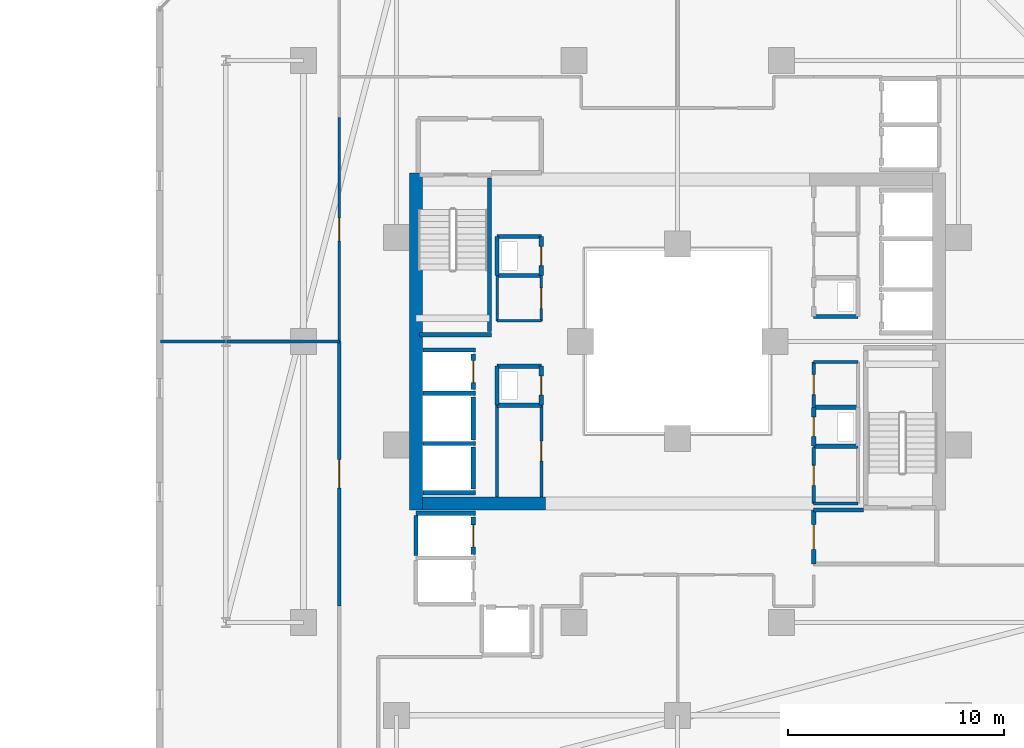
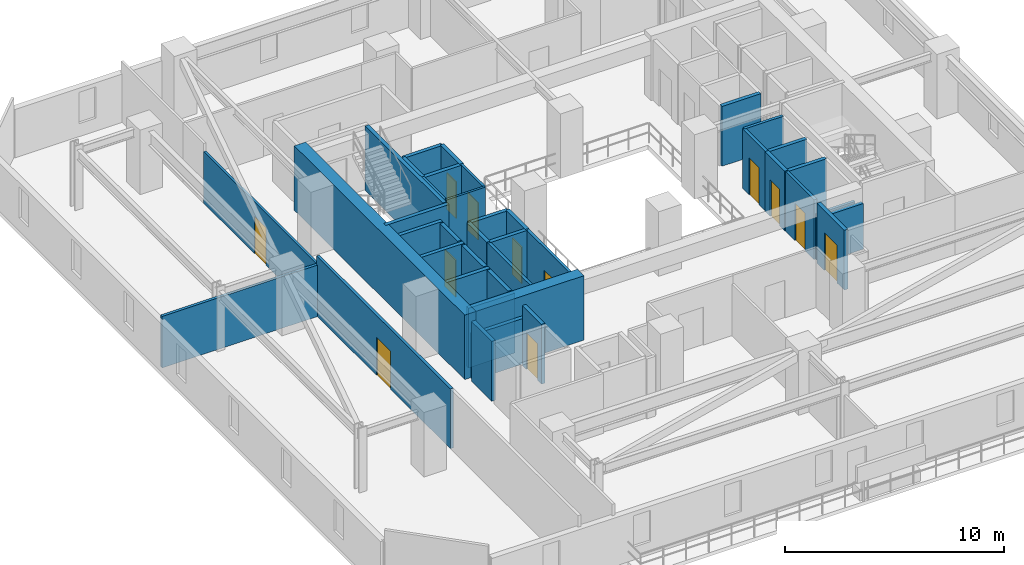
# One storey, part 24 of 33: 40 walls, 12 doors, 12 openings.
"""IFC4 building model written with IfcOpenShell, lengths in metres."""

import ifcopenshell
import ifcopenshell.guid

model = None  # the IFC model being written
_history = None  # IfcOwnerHistory: only IFC2X3 demands one
_inside = {}  # id of a spatial element -> (the spatial element, [elements in it])
_under = {}  # id of a project, library or spatial element -> (it, [spatial elements below it])
_declared = {}  # id of a project -> (the project, [libraries it declares])
_typed = {}  # id of a type object -> (the type object, [elements of that type])
_made_of = {}  # id of a material, layer set ... -> (it, [elements and type objects made of it])


def new_model(schema):
    """Start an empty IFC model of exactly this schema.

    Asked for "IFC4X3", IfcOpenShell would pick the latest addendum, in which some entities
    have other attributes; the version numbers below select the first issue.
    IFC2X3 requires an IfcOwnerHistory on every rooted entity: one is made here for all.
    """
    global model, _history
    if schema == "IFC4X3":
        model = ifcopenshell.file(schema_version=(4, 3, 0, 0))
    else:
        model = ifcopenshell.file(schema=schema)
    _inside.clear()
    _under.clear()
    _declared.clear()
    _typed.clear()
    _made_of.clear()
    _history = None
    if model.schema == "IFC2X3":
        org = make("IfcOrganization", Name="unknown")
        user = make(
            "IfcPersonAndOrganization",
            ThePerson=make("IfcPerson", FamilyName="unknown"),
            TheOrganization=org,
        )
        app = make(
            "IfcApplication",
            ApplicationDeveloper=org,
            Version="unknown",
            ApplicationFullName="unknown",
            ApplicationIdentifier="unknown",
        )
        _history = make(
            "IfcOwnerHistory",
            OwningUser=user,
            OwningApplication=app,
            ChangeAction="ADDED",
            CreationDate=0,
        )
    return model


def make(cls, **values):
    """One entity of the class cls with the attributes given. An attribute that is None is left unset."""
    return model.create_entity(
        cls, **{name: value for name, value in values.items() if value is not None}
    )


def rooted(cls, **values):
    """An entity with a GlobalId (a new one), such as an element, a storey or a relation."""
    return make(cls, GlobalId=ifcopenshell.guid.new(), OwnerHistory=_history, **values)


def si_unit(unit_type, name, prefix=None):
    """IfcSIUnit, for example si_unit("LENGTHUNIT", "METRE", prefix="MILLI")."""
    return make("IfcSIUnit", UnitType=unit_type, Prefix=prefix, Name=name)


def assignment(units):
    """IfcUnitAssignment: the units of a project."""
    return None if units is None else make("IfcUnitAssignment", Units=units)


def point(xyz):
    """IfcCartesianPoint."""
    return None if xyz is None else make("IfcCartesianPoint", Coordinates=xyz)


def direction(xyz):
    """IfcDirection."""
    return None if xyz is None else make("IfcDirection", DirectionRatios=xyz)


def frame(location, z_axis=None, x_axis=None):
    """IfcAxis2Placement3D, a coordinate frame: its origin and axes. An axis left out is left unset."""
    return make(
        "IfcAxis2Placement3D",
        Location=point(location),
        Axis=direction(z_axis),
        RefDirection=direction(x_axis),
    )


def frame_2d(location, x_axis=None):
    """IfcAxis2Placement2D, a coordinate frame in the plane: its origin and x axis."""
    return make(
        "IfcAxis2Placement2D", Location=point(location), RefDirection=direction(x_axis)
    )


def origin():
    """The frame at (0, 0, 0) with its axes left unset."""
    return frame((0.0, 0.0, 0.0))


def place(relative_to, where):
    """IfcLocalPlacement: puts the frame where relative to a parent placement (None: the world)."""
    return make(
        "IfcLocalPlacement", PlacementRelTo=relative_to, RelativePlacement=where
    )


def context(
    kind, dimensions, precision=None, world=None, true_north=None, identifier=None
):
    """IfcGeometricRepresentationContext, for example the 3D "Model" context."""
    return make(
        "IfcGeometricRepresentationContext",
        ContextIdentifier=identifier,
        ContextType=kind,
        CoordinateSpaceDimension=dimensions,
        Precision=precision,
        WorldCoordinateSystem=world,
        TrueNorth=true_north,
    )


def subcontext(parent, identifier, kind, view, scale=None):
    """IfcGeometricRepresentationSubContext, for example "Body" below "Model"."""
    return make(
        "IfcGeometricRepresentationSubContext",
        ContextIdentifier=identifier,
        ContextType=kind,
        ParentContext=parent,
        TargetScale=scale,
        TargetView=view,
    )


def project(units=None, contexts=None):
    """IfcProject with its units and contexts."""
    return rooted(
        "IfcProject",
        Name="project",
        RepresentationContexts=contexts,
        UnitsInContext=assignment(units),
    )


def spatial(cls, under=None, at=None, **own):
    """A site, building, storey or space (cls), placed at a placement, below another one or the project."""
    s = rooted(cls, ObjectPlacement=at, **own)
    if under is not None:
        _under.setdefault(under.id(), (under, []))[1].append(s)
    return s


def profile(cls, at=None, kind="AREA", **sizes):
    """A parametric profile (cls). Its sizes go by their IFC names, for example OverallWidth=200.0."""
    return make(cls, ProfileType=kind, Position=at, **sizes)


def rectangle(**sizes):
    """IfcRectangleProfileDef."""
    return profile("IfcRectangleProfileDef", **sizes)


def extrude(swept, where, along, depth):
    """IfcExtrudedAreaSolid: the profile swept, set in the frame where, extruded along a direction by depth."""
    return make(
        "IfcExtrudedAreaSolid",
        SweptArea=swept,
        Position=where,
        ExtrudedDirection=direction(along),
        Depth=depth,
    )


def shape(context_of_items, identifier, shape_type, items):
    """IfcShapeRepresentation: the items that make up one representation, for example the "Body"."""
    return make(
        "IfcShapeRepresentation",
        ContextOfItems=context_of_items,
        RepresentationIdentifier=identifier,
        RepresentationType=shape_type,
        Items=items,
    )


def material(Name=None, Category=None):
    """IfcMaterial."""
    return make("IfcMaterial", Name=Name, Category=Category)


def layer(
    of_material, thickness, ventilated=None, Name=None, Category=None, Priority=None
):
    """IfcMaterialLayer: one layer of a wall or slab, of a material (None: an air gap)."""
    return make(
        "IfcMaterialLayer",
        Material=of_material,
        LayerThickness=thickness,
        IsVentilated=ventilated,
        Name=Name,
        Category=Category,
        Priority=Priority,
    )


def layer_set(layers, Name=None):
    """IfcMaterialLayerSet."""
    return make("IfcMaterialLayerSet", MaterialLayers=layers, LayerSetName=Name)


def made_of(thing, what):
    """Note that an element or type object is made of a material, layer set ...; save() writes the relation."""
    if what is not None:
        _made_of.setdefault(what.id(), (what, []))[1].append(thing)
    return thing


def type_object(cls, material=None, **own):
    """A type object (cls), such as IfcWallType, which elements share."""
    return made_of(rooted(cls, **own), material)


def element(
    cls,
    number,
    at=None,
    inside=None,
    cuts=None,
    type_object=None,
    material=None,
    context=None,
    identifier="Body",
    shape_type=None,
    held_by="IfcProductDefinitionShape",
    body=None,
    shapes=None,
    **own,
):
    """One element of the class cls, such as IfcWall. Its Tag is "e" and its number.

    at: its placement. inside: the storey or other place that contains it. cuts: it is an
    opening in that element (IfcRelVoidsElement). A single representation is given by context,
    identifier, shape_type and body (its items); several are given by shapes. held_by: the class
    of the entity that holds the representations. save() writes the other relations.
    """
    e = rooted(cls, Tag="e%d" % number, ObjectPlacement=at, **own)
    if body is not None:
        shapes = [shape(context, identifier, shape_type, body)]
    if shapes is not None:
        e.Representation = make(held_by, Representations=shapes)
    if inside is not None:
        _inside.setdefault(inside.id(), (inside, []))[1].append(e)
    if cuts is not None:
        rooted(
            "IfcRelVoidsElement", RelatingBuildingElement=cuts, RelatedOpeningElement=e
        )
    if type_object is not None:
        _typed.setdefault(type_object.id(), (type_object, []))[1].append(e)
    return made_of(e, material)


def fill(opening, filler):
    """IfcRelFillsElement: the door or window that sits in an opening."""
    return rooted(
        "IfcRelFillsElement",
        RelatingOpeningElement=opening,
        RelatedBuildingElement=filler,
    )


def aggregate(whole, parts):
    """IfcRelAggregates: a whole, such as a stair, and the parts it consists of."""
    return rooted("IfcRelAggregates", RelatingObject=whole, RelatedObjects=parts)


def save(model, path):
    """Write the relations noted so far, then the file.

    IfcRelAggregates (storeys below a building ...), IfcRelContainedInSpatialStructure (elements
    in a storey), IfcRelDefinesByType, IfcRelAssociatesMaterial and IfcRelDeclares: one each for
    every whole, place, type object, material and project.
    """
    for whole, parts in _under.values():
        aggregate(whole, parts)
    for where, things in _inside.values():
        rooted(
            "IfcRelContainedInSpatialStructure",
            RelatedElements=things,
            RelatingStructure=where,
        )
    for kind, things in _typed.values():
        rooted("IfcRelDefinesByType", RelatedObjects=things, RelatingType=kind)
    for what, things in _made_of.values():
        rooted("IfcRelAssociatesMaterial", RelatedObjects=things, RelatingMaterial=what)
    for by, libraries in _declared.values():
        rooted("IfcRelDeclares", RelatingContext=by, RelatedDefinitions=libraries)
    model.write(path)


model = new_model("IFC4")

# Units and contexts
model_context = context("Model", 3, precision=1e-05, world=origin(), true_north=direction((0.0, 1.0)))
body_context = subcontext(model_context, "Body", "Model", "MODEL_VIEW")
ifc_project = project(units=[si_unit("LENGTHUNIT", "METRE"), si_unit("AREAUNIT", "SQUARE_METRE"), si_unit("VOLUMEUNIT", "CUBIC_METRE"), si_unit("PLANEANGLEUNIT", "RADIAN"), si_unit("MASSUNIT", "GRAM", prefix="KILO")], contexts=[model_context])

# Site, building, storey
site_placement = place(None, origin())
site = spatial("IfcSite", under=ifc_project, at=site_placement, CompositionType="ELEMENT")
building_placement = place(site_placement, origin())
building = spatial("IfcBuilding", under=site, at=building_placement, Name="Thornwick Lancets Civic Towers", CompositionType="ELEMENT")
storey_placement = place(building_placement, frame((0.0, 0.0, 105.300048828125)))
storey = spatial("IfcBuildingStorey", under=building, at=storey_placement, Name="L27", CompositionType="ELEMENT", Elevation=105.300048828125)

# Wall, opening, door
ifc_material_1 = material(Name="Concrete blockwork C40/50", Category="masonry")
ifc_layer_1 = layer(ifc_material_1, 0.199951171875, Name="Concrete blockwork C40/50")
ifc_layer_set_1 = layer_set([ifc_layer_1], Name="Concrete blockwork C40/50")
wall_type_1 = type_object("IfcWallType", Name="WALL_COMP_200", PredefinedType="STANDARD", material=ifc_layer_set_1)
wall_1_placement = place(storey_placement, frame((79.050048828125, 24.780029296875, 0.0), z_axis=(0.0, 0.0, 1.0), x_axis=(0.0, 1.0, 0.0)))
wall_1 = element("IfcWall", 1, at=wall_1_placement, inside=storey, type_object=wall_type_1, Name="L27 Hoistway Front Wall FL-B2", PredefinedType="STANDARD", context=body_context, shape_type="SweptSolid", body=[
    extrude(rectangle(XDim=1.639892578125, YDim=0.199951171875, at=frame_2d((0.81982421875, 0.0))), origin(), (0.0, 0.0, 1.0), 3.33984375),
])
opening_1_placement = place(wall_1_placement, frame((0.31005859375, 0.0, 0.0)))
opening_1 = element("IfcOpeningElement", 2, at=opening_1_placement, cuts=wall_1, Name="Opening LD-FL-B2", PredefinedType="OPENING", context=body_context, shape_type="SweptSolid", body=[
    extrude(rectangle(XDim=1.02001953125, YDim=2.06005859375, at=frame_2d((0.510009765625, 1.030029296875))), frame((0.0, 0.10986328125, 0.0), z_axis=(0.0, -1.0, 0.0), x_axis=(1.0, 0.0, 0.0)), (0.0, 0.0, 1.0), 0.219970703125),
])
ifc_material_2 = material(Name="Brushed bronze stainless steel", Category="steel")
door_type_1 = type_object("IfcDoorType", Name="DOOR_LIFT_SLIDE", OperationType="SLIDING_TO_LEFT", PredefinedType="DOOR", material=ifc_material_2)
door_1_placement = place(opening_1_placement, origin())
door_1 = element("IfcDoor", 3, at=door_1_placement, inside=storey, type_object=door_type_1, Name="L27 Sliding Lift Landing Door LD-FL-B2", OperationType="SLIDING_TO_LEFT", OverallHeight=2.06005859375, OverallWidth=1.02001953125, PredefinedType="DOOR", context=body_context, shape_type="SweptSolid", body=[
    extrude(rectangle(XDim=1.02001953125, YDim=2.06005859375, at=frame_2d((0.510009765625, 1.030029296875))), frame((0.0, 0.02490234375, 0.0), z_axis=(0.0, -1.0, 0.0), x_axis=(1.0, 0.0, 0.0)), (0.0, 0.0, 1.0), 0.050048828125),
])
fill(opening_1, door_1)

# Walls
wall_2_placement = place(storey_placement, frame((79.050048828125, 22.429931640625, 0.0), z_axis=(0.0, 0.0, 1.0), x_axis=(0.0, 1.0, 0.0)))
element("IfcWall", 4, at=wall_2_placement, inside=storey, type_object=wall_type_1, Name="L27 Hoistway Front Wall PL-BH2", PredefinedType="STANDARD", context=body_context, shape_type="SweptSolid", body=[
    extrude(rectangle(XDim=1.989990234375, YDim=0.199951171875, at=frame_2d((0.9951171875, 0.0))), origin(), (0.0, 0.0, 1.0), 3.33984375),
])
wall_3_placement = place(storey_placement, frame((79.050048828125, 20.179931640625, 0.0), z_axis=(0.0, 0.0, 1.0), x_axis=(0.0, 1.0, 0.0)))
element("IfcWall", 5, at=wall_3_placement, inside=storey, type_object=wall_type_1, Name="L27 Hoistway Front Wall PL-BH3", PredefinedType="STANDARD", context=body_context, shape_type="SweptSolid", body=[
    extrude(rectangle(XDim=1.940185546875, YDim=0.199951171875, at=frame_2d((0.97021484375, 0.0))), origin(), (0.0, 0.0, 1.0), 3.33984375),
])

# Wall, opening, door
wall_4_placement = place(storey_placement, frame((79.050048828125, 17.1298828125, 0.0), z_axis=(0.0, 0.0, 1.0), x_axis=(0.0, 1.0, 0.0)))
wall_4 = element("IfcWall", 6, at=wall_4_placement, inside=storey, type_object=wall_type_1, Name="L27 Hoistway Front Wall PL-BM1", PredefinedType="STANDARD", context=body_context, shape_type="SweptSolid", body=[
    extrude(rectangle(XDim=1.740234375, YDim=0.199951171875, at=frame_2d((0.8701171875, 0.0))), origin(), (0.0, 0.0, 1.0), 3.33984375),
])
opening_2_placement = place(wall_4_placement, frame((0.360107421875, 0.0, 0.0)))
opening_2 = element("IfcOpeningElement", 7, at=opening_2_placement, cuts=wall_4, Name="Opening LD-PL-BM1", PredefinedType="OPENING", context=body_context, shape_type="SweptSolid", body=[
    extrude(rectangle(XDim=1.02001953125, YDim=2.06005859375, at=frame_2d((0.510009765625, 1.030029296875))), frame((0.0, 0.10986328125, 0.0), z_axis=(0.0, -1.0, 0.0), x_axis=(1.0, 0.0, 0.0)), (0.0, 0.0, 1.0), 0.219970703125),
])
door_2_placement = place(opening_2_placement, origin())
door_2 = element("IfcDoor", 8, at=door_2_placement, inside=storey, type_object=door_type_1, Name="L27 Sliding Lift Landing Door LD-PL-BM1", OperationType="SLIDING_TO_LEFT", OverallHeight=2.06005859375, OverallWidth=1.02001953125, PredefinedType="DOOR", context=body_context, shape_type="SweptSolid", body=[
    extrude(rectangle(XDim=1.02001953125, YDim=2.06005859375, at=frame_2d((0.510009765625, 1.030029296875))), frame((0.0, 0.02490234375, 0.0), z_axis=(0.0, -1.0, 0.0), x_axis=(1.0, 0.0, 0.0)), (0.0, 0.0, 1.0), 0.050048828125),
])
fill(opening_2, door_2)

# Walls
for number, where, z_axis, x_axis, name in (
    (9, (76.7119140625, 26.60009765625, 0.0), (0.0, 0.0, 1.0), (1.0, 0.0, 0.0), "L27 Hoistway Shaft Wall FL-B2 N"),
    (10, (76.7119140625, 24.60009765625, 0.0), (0.0, 0.0, 1.0), (1.0, 0.0, 0.0), "L27 Hoistway Shaft Wall FL-B2 S"),
    (11, (76.7119140625, 22.27490234375, 0.0), (0.0, 0.0, 1.0), (1.0, 0.0, 0.0), "L27 Hoistway Shaft Wall PL-BH2 S"),
    (12, (76.7119140625, 20.0, 0.0), (0.0, 0.0, 1.0), (1.0, 0.0, 0.0), "L27 Hoistway Shaft Wall PL-BH3 S"),
):
    element("IfcWall", number, at=place(storey_placement, frame(where, z_axis=z_axis, x_axis=x_axis)), inside=storey, type_object=wall_type_1, Name=name, PredefinedType="STANDARD", context=body_context, shape_type="SweptSolid", body=[
        extrude(rectangle(XDim=2.43603515625, YDim=0.199951171875, at=frame_2d((1.218017578125, 0.0))), origin(), (0.0, 0.0, 1.0), 3.33984375),
    ])
wall_5_placement = place(storey_placement, frame((76.402099609375, 19.050048828125, 0.0), z_axis=(0.0, 0.0, 1.0), x_axis=(1.0, 0.0, 0.0)))
element("IfcWall", 13, at=wall_5_placement, inside=storey, type_object=wall_type_1, Name="L27 Hoistway Shaft Wall PL-BM1 N", PredefinedType="STANDARD", context=body_context, shape_type="SweptSolid", body=[
    extrude(rectangle(XDim=2.745849609375, YDim=0.199951171875, at=frame_2d((1.373046875, 0.0))), origin(), (0.0, 0.0, 1.0), 2.544921875),
])
wall_6_placement = place(storey_placement, frame((76.39990234375, 17.08203125, 0.0), z_axis=(0.0, 0.0, 1.0), x_axis=(0.0, 1.0, 0.0)))
element("IfcWall", 14, at=wall_6_placement, inside=storey, type_object=wall_type_1, Name="L27 Hoistway Shaft Wall PL-BM1 W", PredefinedType="STANDARD", context=body_context, shape_type="SweptSolid", body=[
    extrude(rectangle(XDim=1.85595703125, YDim=0.199951171875, at=frame_2d((0.927978515625, 0.0))), origin(), (0.0, 0.0, 1.0), 3.33984375),
])
wall_7_placement = place(storey_placement, frame((97.10009765625, 19.199951171875, 0.0), z_axis=(0.0, 0.0, 1.0), x_axis=(-1.0, 0.0, 0.0)))
element("IfcWall", 15, at=wall_7_placement, inside=storey, type_object=wall_type_1, Name="L27 Partition L27-B-FFLOB1 E3", PredefinedType="STANDARD", context=body_context, shape_type="SweptSolid", body=[
    extrude(rectangle(XDim=2.300048828125, YDim=0.199951171875, at=frame_2d((1.14990234375, 0.0))), origin(), (0.0, 0.0, 1.0), 2.544921875),
])

# Wall, opening, door
wall_8_placement = place(storey_placement, frame((94.800048828125, 19.199951171875, 0.0), z_axis=(0.0, 0.0, 1.0), x_axis=(0.0, -1.0, 0.0)))
wall_8 = element("IfcWall", 16, at=wall_8_placement, inside=storey, type_object=wall_type_1, Name="L27 Partition L27-B-FFLOB1 E4", PredefinedType="STANDARD", context=body_context, shape_type="SweptSolid", body=[
    extrude(rectangle(XDim=2.5, YDim=0.199951171875, at=frame_2d((1.25, 0.0))), origin(), (0.0, 0.0, 1.0), 3.33984375),
])
opening_3_placement = place(wall_8_placement, frame((0.675048828125, 0.0, 0.0)))
opening_3 = element("IfcOpeningElement", 17, at=opening_3_placement, cuts=wall_8, Name="Opening D-L27-1245", PredefinedType="OPENING", context=body_context, shape_type="SweptSolid", body=[
    extrude(rectangle(XDim=1.14990234375, YDim=2.10009765625, at=frame_2d((0.574951171875, 1.050048828125))), frame((0.0, 0.10986328125, 0.0), z_axis=(0.0, -1.0, 0.0), x_axis=(1.0, 0.0, 0.0)), (0.0, 0.0, 1.0), 0.219970703125),
])
ifc_material_3 = material(Name="Glazed fire-resisting steel", Category="steel")
door_type_2 = type_object("IfcDoorType", Name="DOOR_LOBBY_FD60", OperationType="NOTDEFINED", PredefinedType="DOOR", material=ifc_material_3)
door_3_placement = place(opening_3_placement, origin())
door_3 = element("IfcDoor", 18, at=door_3_placement, inside=storey, type_object=door_type_2, Name="L27 East Firefighting Lobby 1 Door", OperationType="SINGLE_SWING_RIGHT", OverallHeight=2.10009765625, OverallWidth=1.14990234375, PredefinedType="DOOR", context=body_context, shape_type="SweptSolid", body=[
    extrude(rectangle(XDim=1.14990234375, YDim=2.10009765625, at=frame_2d((0.574951171875, 1.050048828125))), frame((0.0, 0.02490234375, 0.0), z_axis=(0.0, -1.0, 0.0), x_axis=(1.0, 0.0, 0.0)), (0.0, 0.0, 1.0), 0.050048828125),
])
fill(opening_3, door_3)

# Walls
for number, where, z_axis, x_axis, name in (
    (19, (94.800048828125, 28.14990234375, 0.0), (0.0, 0.0, 1.0), (1.0, 0.0, 0.0), "L27 Partition L27-B-DUCT1 E1"),
    (20, (94.800048828125, 22.14990234375, 0.0), (0.0, 0.0, 1.0), (1.0, 0.0, 0.0), "L27 Partition L27-B-RISER1 E1"),
    (21, (96.85009765625, 23.949951171875, 0.0), (0.0, 0.0, 1.0), (-1.0, 0.0, 0.0), "L27 Partition L27-B-RISER1 E3"),
):
    element("IfcWall", number, at=place(storey_placement, frame(where, z_axis=z_axis, x_axis=x_axis)), inside=storey, type_object=wall_type_1, Name=name, PredefinedType="STANDARD", context=body_context, shape_type="SweptSolid", body=[
        extrude(rectangle(XDim=2.050048828125, YDim=0.199951171875, at=frame_2d((1.02490234375, 0.0))), origin(), (0.0, 0.0, 1.0), 3.33984375),
    ])

# Wall, opening, door
wall_9_placement = place(storey_placement, frame((94.800048828125, 23.949951171875, 0.0), z_axis=(0.0, 0.0, 1.0), x_axis=(0.0, -1.0, 0.0)))
wall_9 = element("IfcWall", 22, at=wall_9_placement, inside=storey, type_object=wall_type_1, Name="L27 Partition L27-B-RISER1 E4", PredefinedType="STANDARD", context=body_context, shape_type="SweptSolid", body=[
    extrude(rectangle(XDim=1.800048828125, YDim=0.199951171875, at=frame_2d((0.89990234375, 0.0))), origin(), (0.0, 0.0, 1.0), 3.33984375),
])
opening_4_placement = place(wall_9_placement, frame((0.4599609375, 0.0, 0.0)))
opening_4 = element("IfcOpeningElement", 23, at=opening_4_placement, cuts=wall_9, Name="Opening D-L27-1248", PredefinedType="OPENING", context=body_context, shape_type="SweptSolid", body=[
    extrude(rectangle(XDim=0.8798828125, YDim=2.0400390625, at=frame_2d((0.43994140625, 1.02001953125))), frame((0.0, 0.10986328125, 0.0), z_axis=(0.0, -1.0, 0.0), x_axis=(1.0, 0.0, 0.0)), (0.0, 0.0, 1.0), 0.219970703125),
])
ifc_material_4 = material(Name="Steel riser access doorset", Category="steel")
door_type_3 = type_object("IfcDoorType", Name="DOOR_RISER_850", OperationType="NOTDEFINED", PredefinedType="DOOR", material=ifc_material_4)
door_4_placement = place(opening_4_placement, origin())
door_4 = element("IfcDoor", 24, at=door_4_placement, inside=storey, type_object=door_type_3, Name="L27 East Electrical Riser 1 Door", OperationType="SINGLE_SWING_LEFT", OverallHeight=2.0400390625, OverallWidth=0.8798828125, PredefinedType="DOOR", context=body_context, shape_type="SweptSolid", body=[
    extrude(rectangle(XDim=0.8798828125, YDim=2.0400390625, at=frame_2d((0.43994140625, 1.02001953125))), frame((0.0, 0.02490234375, 0.0), z_axis=(0.0, -1.0, 0.0), x_axis=(1.0, 0.0, 0.0)), (0.0, 0.0, 1.0), 0.050048828125),
])
fill(opening_4, door_4)

# Wall
wall_10_placement = place(storey_placement, frame((80.14990234375, 24.050048828125, 0.0), z_axis=(0.0, 0.0, 1.0), x_axis=(1.0, 0.0, 0.0)))
element("IfcWall", 25, at=wall_10_placement, inside=storey, type_object=wall_type_1, Name="L27 Partition L27-B-DUCT2 E1", PredefinedType="STANDARD", context=body_context, shape_type="SweptSolid", body=[
    extrude(rectangle(XDim=2.050048828125, YDim=0.199951171875, at=frame_2d((1.02490234375, 0.0))), origin(), (0.0, 0.0, 1.0), 3.33984375),
])

# Wall, opening, door
wall_11_placement = place(storey_placement, frame((82.199951171875, 24.050048828125, 0.0), z_axis=(0.0, 0.0, 1.0), x_axis=(0.0, 1.0, 0.0)))
wall_11 = element("IfcWall", 26, at=wall_11_placement, inside=storey, type_object=wall_type_1, Name="L27 Partition L27-B-DUCT2 E2", PredefinedType="STANDARD", context=body_context, shape_type="SweptSolid", body=[
    extrude(rectangle(XDim=1.800048828125, YDim=0.199951171875, at=frame_2d((0.89990234375, 0.0))), origin(), (0.0, 0.0, 1.0), 3.33984375),
])
opening_5_placement = place(wall_11_placement, frame((0.4599609375, 0.0, 0.0)))
opening_5 = element("IfcOpeningElement", 27, at=opening_5_placement, cuts=wall_11, Name="Opening D-L27-1249", PredefinedType="OPENING", context=body_context, shape_type="SweptSolid", body=[
    extrude(rectangle(XDim=0.8798828125, YDim=2.0400390625, at=frame_2d((0.43994140625, 1.02001953125))), frame((0.0, 0.10986328125, 0.0), z_axis=(0.0, -1.0, 0.0), x_axis=(1.0, 0.0, 0.0)), (0.0, 0.0, 1.0), 0.219970703125),
])
door_5_placement = place(opening_5_placement, origin())
door_5 = element("IfcDoor", 28, at=door_5_placement, inside=storey, type_object=door_type_3, Name="L27 West Service Duct 2 Door", OperationType="SINGLE_SWING_RIGHT", OverallHeight=2.0400390625, OverallWidth=0.8798828125, PredefinedType="DOOR", context=body_context, shape_type="SweptSolid", body=[
    extrude(rectangle(XDim=0.8798828125, YDim=2.0400390625, at=frame_2d((0.43994140625, 1.02001953125))), frame((0.0, 0.02490234375, 0.0), z_axis=(0.0, -1.0, 0.0), x_axis=(1.0, 0.0, 0.0)), (0.0, 0.0, 1.0), 0.050048828125),
])
fill(opening_5, door_5)

# Walls
wall_12_placement = place(storey_placement, frame((82.199951171875, 25.85009765625, 0.0), z_axis=(0.0, 0.0, 1.0), x_axis=(-1.0, 0.0, 0.0)))
element("IfcWall", 29, at=wall_12_placement, inside=storey, type_object=wall_type_1, Name="L27 Partition L27-B-DUCT2 E3", PredefinedType="STANDARD", context=body_context, shape_type="SweptSolid", body=[
    extrude(rectangle(XDim=2.050048828125, YDim=0.199951171875, at=frame_2d((1.02490234375, 0.0))), origin(), (0.0, 0.0, 1.0), 3.33984375),
])
wall_13_placement = place(storey_placement, frame((80.14990234375, 25.85009765625, 0.0), z_axis=(0.0, 0.0, 1.0), x_axis=(0.0, -1.0, 0.0)))
element("IfcWall", 30, at=wall_13_placement, inside=storey, type_object=wall_type_1, Name="L27 Partition L27-B-DUCT2 E4", PredefinedType="STANDARD", context=body_context, shape_type="SweptSolid", body=[
    extrude(rectangle(XDim=1.800048828125, YDim=0.199951171875, at=frame_2d((0.89990234375, 0.0))), origin(), (0.0, 0.0, 1.0), 3.33984375),
])
wall_14_placement = place(storey_placement, frame((80.14990234375, 30.050048828125, 0.0), z_axis=(0.0, 0.0, 1.0), x_axis=(1.0, 0.0, 0.0)))
element("IfcWall", 31, at=wall_14_placement, inside=storey, type_object=wall_type_1, Name="L27 Partition L27-B-RISER2 E1", PredefinedType="STANDARD", context=body_context, shape_type="SweptSolid", body=[
    extrude(rectangle(XDim=2.050048828125, YDim=0.199951171875, at=frame_2d((1.02490234375, 0.0))), origin(), (0.0, 0.0, 1.0), 3.33984375),
])

# Wall, opening, door
wall_15_placement = place(storey_placement, frame((82.199951171875, 30.050048828125, 0.0), z_axis=(0.0, 0.0, 1.0), x_axis=(0.0, 1.0, 0.0)))
wall_15 = element("IfcWall", 32, at=wall_15_placement, inside=storey, type_object=wall_type_1, Name="L27 Partition L27-B-RISER2 E2", PredefinedType="STANDARD", context=body_context, shape_type="SweptSolid", body=[
    extrude(rectangle(XDim=1.800048828125, YDim=0.199951171875, at=frame_2d((0.89990234375, 0.0))), origin(), (0.0, 0.0, 1.0), 3.33984375),
])
opening_6_placement = place(wall_15_placement, frame((0.4599609375, 0.0, 0.0)))
opening_6 = element("IfcOpeningElement", 33, at=opening_6_placement, cuts=wall_15, Name="Opening D-L27-1250", PredefinedType="OPENING", context=body_context, shape_type="SweptSolid", body=[
    extrude(rectangle(XDim=0.8798828125, YDim=2.0400390625, at=frame_2d((0.43994140625, 1.02001953125))), frame((0.0, 0.10986328125, 0.0), z_axis=(0.0, -1.0, 0.0), x_axis=(1.0, 0.0, 0.0)), (0.0, 0.0, 1.0), 0.219970703125),
])
door_6_placement = place(opening_6_placement, origin())
door_6 = element("IfcDoor", 34, at=door_6_placement, inside=storey, type_object=door_type_3, Name="L27 West Service Riser 2 Door", OperationType="SINGLE_SWING_LEFT", OverallHeight=2.0400390625, OverallWidth=0.8798828125, PredefinedType="DOOR", context=body_context, shape_type="SweptSolid", body=[
    extrude(rectangle(XDim=0.8798828125, YDim=2.0400390625, at=frame_2d((0.43994140625, 1.02001953125))), frame((0.0, 0.02490234375, 0.0), z_axis=(0.0, -1.0, 0.0), x_axis=(1.0, 0.0, 0.0)), (0.0, 0.0, 1.0), 0.050048828125),
])
fill(opening_6, door_6)

# Walls
wall_16_placement = place(storey_placement, frame((82.199951171875, 31.85009765625, 0.0), z_axis=(0.0, 0.0, 1.0), x_axis=(-1.0, 0.0, 0.0)))
element("IfcWall", 35, at=wall_16_placement, inside=storey, type_object=wall_type_1, Name="L27 Partition L27-B-RISER2 E3", PredefinedType="STANDARD", context=body_context, shape_type="SweptSolid", body=[
    extrude(rectangle(XDim=2.050048828125, YDim=0.199951171875, at=frame_2d((1.02490234375, 0.0))), origin(), (0.0, 0.0, 1.0), 3.33984375),
])
wall_17_placement = place(storey_placement, frame((80.14990234375, 31.85009765625, 0.0), z_axis=(0.0, 0.0, 1.0), x_axis=(0.0, -1.0, 0.0)))
element("IfcWall", 36, at=wall_17_placement, inside=storey, type_object=wall_type_1, Name="L27 Partition L27-B-RISER2 E4", PredefinedType="STANDARD", context=body_context, shape_type="SweptSolid", body=[
    extrude(rectangle(XDim=1.800048828125, YDim=0.199951171875, at=frame_2d((0.89990234375, 0.0))), origin(), (0.0, 0.0, 1.0), 3.33984375),
])
ifc_material_5 = material(Name="Concrete C60/75", Category="concrete")
ifc_layer_2 = layer(ifc_material_5, 0.60009765625, Name="Concrete C60/75")
ifc_layer_set_2 = layer_set([ifc_layer_2], Name="Concrete C60/75")
wall_type_2 = type_object("IfcWallType", Name="WALL_CORE_600", PredefinedType="SHEAR", material=ifc_layer_set_2)
wall_18_placement = place(storey_placement, frame((76.39990234375, 19.199951171875, 0.0), z_axis=(0.0, 0.0, 1.0), x_axis=(0.0, 1.0, 0.0)))
element("IfcWall", 37, at=wall_18_placement, inside=storey, type_object=wall_type_2, Name="L27 Split Core B2 Shear Wall W", PredefinedType="SHEAR", context=body_context, shape_type="SweptSolid", body=[
    extrude(rectangle(XDim=15.60009765625, YDim=0.60009765625, at=frame_2d((7.800048828125, 0.0))), origin(), (0.0, 0.0, 1.0), 3.599853515625),
])
wall_19_placement = place(storey_placement, frame((76.699951171875, 19.5, 0.0), z_axis=(0.0, 0.0, 1.0), x_axis=(1.0, 0.0, 0.0)))
element("IfcWall", 38, at=wall_19_placement, inside=storey, type_object=wall_type_2, Name="L27 Split Core B2 Shear Wall S", PredefinedType="SHEAR", context=body_context, shape_type="SweptSolid", body=[
    extrude(rectangle(XDim=5.699951171875, YDim=0.60009765625, at=frame_2d((2.85009765625, 0.0))), origin(), (0.0, 0.0, 1.0), 3.599853515625),
])
ifc_material_6 = material(Name="Acoustic gypsum board partition")
ifc_layer_3 = layer(ifc_material_6, 0.1201171875, Name="Acoustic gypsum board partition")
ifc_layer_set_3 = layer_set([ifc_layer_3], Name="Acoustic gypsum board partition")
wall_type_3 = type_object("IfcWallType", Name="WALL_PART_120", PredefinedType="PARTITIONING", material=ifc_layer_set_3)
wall_20_placement = place(storey_placement, frame((82.199951171875, 27.949951171875, 0.0), z_axis=(0.0, 0.0, 1.0), x_axis=(-1.0, 0.0, 0.0)))
element("IfcWall", 39, at=wall_20_placement, inside=storey, type_object=wall_type_3, Name="L27 Partition L27-B-ITR E1", PredefinedType="PARTITIONING", context=body_context, shape_type="SweptSolid", body=[
    extrude(rectangle(XDim=2.050048828125, YDim=0.1201171875, at=frame_2d((1.02490234375, 0.0))), origin(), (0.0, 0.0, 1.0), 3.33984375),
])
wall_21_placement = place(storey_placement, frame((80.14990234375, 27.949951171875, 0.0), z_axis=(0.0, 0.0, 1.0), x_axis=(0.0, 1.0, 0.0)))
element("IfcWall", 40, at=wall_21_placement, inside=storey, type_object=wall_type_3, Name="L27 Partition L27-B-ITR E2", PredefinedType="PARTITIONING", context=body_context, shape_type="SweptSolid", body=[
    extrude(rectangle(XDim=2.10009765625, YDim=0.1201171875, at=frame_2d((1.050048828125, 0.0))), origin(), (0.0, 0.0, 1.0), 3.33984375),
])

# Wall, opening, door
wall_22_placement = place(storey_placement, frame((82.199951171875, 30.050048828125, 0.0), z_axis=(0.0, 0.0, 1.0), x_axis=(0.0, -1.0, 0.0)))
wall_22 = element("IfcWall", 41, at=wall_22_placement, inside=storey, type_object=wall_type_3, Name="L27 Partition L27-B-ITR E4", PredefinedType="PARTITIONING", context=body_context, shape_type="SweptSolid", body=[
    extrude(rectangle(XDim=2.10009765625, YDim=0.1201171875, at=frame_2d((1.050048828125, 0.0))), origin(), (0.0, 0.0, 1.0), 3.33984375),
])
opening_7_placement = place(wall_22_placement, frame((0.574951171875, 0.0, 0.0)))
opening_7 = element("IfcOpeningElement", 42, at=opening_7_placement, cuts=wall_22, Name="Opening D-L27-1256", PredefinedType="OPENING", context=body_context, shape_type="SweptSolid", body=[
    extrude(rectangle(XDim=0.949951171875, YDim=2.10009765625, at=frame_2d((0.47509765625, 1.050048828125))), frame((0.0, 0.070068359375, 0.0), z_axis=(0.0, -1.0, 0.0), x_axis=(1.0, 0.0, 0.0)), (0.0, 0.0, 1.0), 0.14013671875),
])
ifc_material_7 = material(Name="European oak acoustic doorset")
door_type_4 = type_object("IfcDoorType", Name="DOOR_OFFICE_950", OperationType="NOTDEFINED", PredefinedType="DOOR", material=ifc_material_7)
door_7_placement = place(opening_7_placement, origin())
door_7 = element("IfcDoor", 43, at=door_7_placement, inside=storey, type_object=door_type_4, Name="L27 Tower B Comms Patch Room Door", OperationType="SINGLE_SWING_LEFT", OverallHeight=2.10009765625, OverallWidth=0.949951171875, PredefinedType="DOOR", context=body_context, shape_type="SweptSolid", body=[
    extrude(rectangle(XDim=0.949951171875, YDim=2.10009765625, at=frame_2d((0.47509765625, 1.050048828125))), frame((0.0, 0.02490234375, 0.0), z_axis=(0.0, -1.0, 0.0), x_axis=(1.0, 0.0, 0.0)), (0.0, 0.0, 1.0), 0.050048828125),
])
fill(opening_7, door_7)

wall_23_placement = place(storey_placement, frame((72.85009765625, 37.35009765625, 0.0), z_axis=(0.0, 0.0, 1.0), x_axis=(0.0, -1.0, 0.0)))
wall_23 = element("IfcWall", 44, at=wall_23_placement, inside=storey, type_object=wall_type_3, Name="L27 Partition L27-B-N-OFF E6", PredefinedType="PARTITIONING", context=body_context, shape_type="SweptSolid", body=[
    extrude(rectangle(XDim=10.35009765625, YDim=0.1201171875, at=frame_2d((5.175048828125, 0.0))), origin(), (0.0, 0.0, 1.0), 2.89501953125),
])
opening_8_placement = place(wall_23_placement, frame((4.64990234375, 0.0, 0.0)))
opening_8 = element("IfcOpeningElement", 45, at=opening_8_placement, cuts=wall_23, Name="Opening D-L27-1268", PredefinedType="OPENING", context=body_context, shape_type="SweptSolid", body=[
    extrude(rectangle(XDim=1.050048828125, YDim=2.10009765625, at=frame_2d((0.52490234375, 1.050048828125))), frame((0.0, 0.070068359375, 0.0), z_axis=(0.0, -1.0, 0.0), x_axis=(1.0, 0.0, 0.0)), (0.0, 0.0, 1.0), 0.14013671875),
])
ifc_material_8 = material(Name="Glazed European oak executive doorset")
door_type_5 = type_object("IfcDoorType", Name="DOOR_OFFICE_1050", OperationType="NOTDEFINED", PredefinedType="DOOR", material=ifc_material_8)
door_8_placement = place(opening_8_placement, origin())
door_8 = element("IfcDoor", 46, at=door_8_placement, inside=storey, type_object=door_type_5, Name="L27 Tower B North Policy Office Door", OperationType="SINGLE_SWING_LEFT", OverallHeight=2.10009765625, OverallWidth=1.050048828125, PredefinedType="DOOR", context=body_context, shape_type="SweptSolid", body=[
    extrude(rectangle(XDim=1.050048828125, YDim=2.10009765625, at=frame_2d((0.52490234375, 1.050048828125))), frame((0.0, 0.02490234375, 0.0), z_axis=(0.0, -1.0, 0.0), x_axis=(1.0, 0.0, 0.0)), (0.0, 0.0, 1.0), 0.050048828125),
])
fill(opening_8, door_8)

# Wall
ifc_material_9 = material(Name="Twin-stud acoustic gypsum board")
ifc_layer_4 = layer(ifc_material_9, 0.14990234375, Name="Twin-stud acoustic gypsum board")
ifc_layer_set_4 = layer_set([ifc_layer_4], Name="Twin-stud acoustic gypsum board")
wall_type_4 = type_object("IfcWallType", Name="WALL_PART_150", PredefinedType="PARTITIONING", material=ifc_layer_set_4)
wall_24_placement = place(storey_placement, frame((94.800048828125, 19.5, 0.0), z_axis=(0.0, 0.0, 1.0), x_axis=(1.0, 0.0, 0.0)))
element("IfcWall", 47, at=wall_24_placement, inside=storey, type_object=wall_type_4, Name="L27 Partition L27-B-MWC E1", PredefinedType="PARTITIONING", context=body_context, shape_type="SweptSolid", body=[
    extrude(rectangle(XDim=2.050048828125, YDim=0.14990234375, at=frame_2d((1.02490234375, 0.0))), origin(), (0.0, 0.0, 1.0), 2.544921875),
])

# Wall, opening, door
wall_25_placement = place(storey_placement, frame((94.800048828125, 22.10009765625, 0.0), z_axis=(0.0, 0.0, 1.0), x_axis=(0.0, -1.0, 0.0)))
wall_25 = element("IfcWall", 48, at=wall_25_placement, inside=storey, type_object=wall_type_4, Name="L27 Partition L27-B-MWC E4", PredefinedType="PARTITIONING", context=body_context, shape_type="SweptSolid", body=[
    extrude(rectangle(XDim=2.60009765625, YDim=0.14990234375, at=frame_2d((1.300048828125, 0.0))), origin(), (0.0, 0.0, 1.0), 3.33984375),
])
opening_9_placement = place(wall_25_placement, frame((0.840087890625, 0.0, 0.0)))
opening_9 = element("IfcOpeningElement", 49, at=opening_9_placement, cuts=wall_25, Name="Opening D-L27-1251", PredefinedType="OPENING", context=body_context, shape_type="SweptSolid", body=[
    extrude(rectangle(XDim=0.919921875, YDim=2.080078125, at=frame_2d((0.4599609375, 1.0400390625))), frame((0.0, 0.0849609375, 0.0), z_axis=(0.0, -1.0, 0.0), x_axis=(1.0, 0.0, 0.0)), (0.0, 0.0, 1.0), 0.169921875),
])
ifc_material_10 = material(Name="Moisture-resistant oak doorset")
door_type_6 = type_object("IfcDoorType", Name="DOOR_WC_900", OperationType="NOTDEFINED", PredefinedType="DOOR", material=ifc_material_10)
door_9_placement = place(opening_9_placement, origin())
door_9 = element("IfcDoor", 50, at=door_9_placement, inside=storey, type_object=door_type_6, Name="L27 Tower B Male WC Door", OperationType="SINGLE_SWING_RIGHT", OverallHeight=2.080078125, OverallWidth=0.919921875, PredefinedType="DOOR", context=body_context, shape_type="SweptSolid", body=[
    extrude(rectangle(XDim=0.919921875, YDim=2.080078125, at=frame_2d((0.4599609375, 1.0400390625))), frame((0.0, 0.02490234375, 0.0), z_axis=(0.0, -1.0, 0.0), x_axis=(1.0, 0.0, 0.0)), (0.0, 0.0, 1.0), 0.050048828125),
])
fill(opening_9, door_9)

wall_26_placement = place(storey_placement, frame((94.800048828125, 23.949951171875, 0.0), z_axis=(0.0, 0.0, 1.0), x_axis=(0.0, 1.0, 0.0)))
wall_26 = element("IfcWall", 51, at=wall_26_placement, inside=storey, type_object=wall_type_4, Name="L27 Partition L27-B-AWC E1", PredefinedType="PARTITIONING", context=body_context, shape_type="SweptSolid", body=[
    extrude(rectangle(XDim=2.10009765625, YDim=0.14990234375, at=frame_2d((1.050048828125, 0.0))), origin(), (0.0, 0.0, 1.0), 3.33984375),
])
opening_10_placement = place(wall_26_placement, frame((0.590087890625, 0.0, 0.0)))
opening_10 = element("IfcOpeningElement", 52, at=opening_10_placement, cuts=wall_26, Name="Opening D-L27-1252", PredefinedType="OPENING", context=body_context, shape_type="SweptSolid", body=[
    extrude(rectangle(XDim=0.919921875, YDim=2.080078125, at=frame_2d((0.4599609375, 1.0400390625))), frame((0.0, 0.0849609375, 0.0), z_axis=(0.0, -1.0, 0.0), x_axis=(1.0, 0.0, 0.0)), (0.0, 0.0, 1.0), 0.169921875),
])
door_10_placement = place(opening_10_placement, origin())
door_10 = element("IfcDoor", 53, at=door_10_placement, inside=storey, type_object=door_type_6, Name="L27 Tower B Accessible WC Door", OperationType="SINGLE_SWING_LEFT", OverallHeight=2.080078125, OverallWidth=0.919921875, PredefinedType="DOOR", context=body_context, shape_type="SweptSolid", body=[
    extrude(rectangle(XDim=0.919921875, YDim=2.080078125, at=frame_2d((0.4599609375, 1.0400390625))), frame((0.0, 0.02490234375, 0.0), z_axis=(0.0, -1.0, 0.0), x_axis=(1.0, 0.0, 0.0)), (0.0, 0.0, 1.0), 0.050048828125),
])
fill(opening_10, door_10)

# Walls
wall_27_placement = place(storey_placement, frame((94.800048828125, 26.050048828125, 0.0), z_axis=(0.0, 0.0, 1.0), x_axis=(1.0, 0.0, 0.0)))
element("IfcWall", 54, at=wall_27_placement, inside=storey, type_object=wall_type_4, Name="L27 Partition L27-B-AWC E2", PredefinedType="PARTITIONING", context=body_context, shape_type="SweptSolid", body=[
    extrude(rectangle(XDim=2.050048828125, YDim=0.14990234375, at=frame_2d((1.02490234375, 0.0))), origin(), (0.0, 0.0, 1.0), 3.33984375),
])
wall_28_placement = place(storey_placement, frame((80.14990234375, 19.800048828125, 0.0), z_axis=(0.0, 0.0, 1.0), x_axis=(0.0, 1.0, 0.0)))
element("IfcWall", 55, at=wall_28_placement, inside=storey, type_object=wall_type_4, Name="L27 Partition L27-B-FWC E2", PredefinedType="PARTITIONING", context=body_context, shape_type="SweptSolid", body=[
    extrude(rectangle(XDim=4.25, YDim=0.14990234375, at=frame_2d((2.125, 0.0))), origin(), (0.0, 0.0, 1.0), 3.33984375),
])

# Wall, opening, door
wall_29_placement = place(storey_placement, frame((82.199951171875, 24.050048828125, 0.0), z_axis=(0.0, 0.0, 1.0), x_axis=(0.0, -1.0, 0.0)))
wall_29 = element("IfcWall", 56, at=wall_29_placement, inside=storey, type_object=wall_type_4, Name="L27 Partition L27-B-FWC E4", PredefinedType="PARTITIONING", context=body_context, shape_type="SweptSolid", body=[
    extrude(rectangle(XDim=4.25, YDim=0.14990234375, at=frame_2d((2.125, 0.0))), origin(), (0.0, 0.0, 1.0), 3.33984375),
])
opening_11_placement = place(wall_29_placement, frame((1.6650390625, 0.0, 0.0)))
opening_11 = element("IfcOpeningElement", 57, at=opening_11_placement, cuts=wall_29, Name="Opening D-L27-1255", PredefinedType="OPENING", context=body_context, shape_type="SweptSolid", body=[
    extrude(rectangle(XDim=0.919921875, YDim=2.080078125, at=frame_2d((0.4599609375, 1.0400390625))), frame((0.0, 0.0849609375, 0.0), z_axis=(0.0, -1.0, 0.0), x_axis=(1.0, 0.0, 0.0)), (0.0, 0.0, 1.0), 0.169921875),
])
door_11_placement = place(opening_11_placement, origin())
door_11 = element("IfcDoor", 58, at=door_11_placement, inside=storey, type_object=door_type_6, Name="L27 Tower B Female WC Door", OperationType="SINGLE_SWING_RIGHT", OverallHeight=2.080078125, OverallWidth=0.919921875, PredefinedType="DOOR", context=body_context, shape_type="SweptSolid", body=[
    extrude(rectangle(XDim=0.919921875, YDim=2.080078125, at=frame_2d((0.4599609375, 1.0400390625))), frame((0.0, 0.02490234375, 0.0), z_axis=(0.0, -1.0, 0.0), x_axis=(1.0, 0.0, 0.0)), (0.0, 0.0, 1.0), 0.050048828125),
])
fill(opening_11, door_11)

# Wall
wall_30_placement = place(storey_placement, frame((64.580078125, 27.0, 0.0), z_axis=(0.0, 0.0, 1.0), x_axis=(1.0, 0.0, 0.0)))
element("IfcWall", 59, at=wall_30_placement, inside=storey, type_object=wall_type_4, Name="L27 Partition L27-B-N-CONF E5", PredefinedType="PARTITIONING", context=body_context, shape_type="SweptSolid", body=[
    extrude(rectangle(XDim=8.27001953125, YDim=0.14990234375, at=frame_2d((4.135009765625, 0.0))), origin(), (0.0, 0.0, 1.0), 2.877685546875),
])

# Wall, opening, door
wall_31_placement = place(storey_placement, frame((72.85009765625, 27.0, 0.0), z_axis=(0.0, 0.0, 1.0), x_axis=(0.0, -1.0, 0.0)))
wall_31 = element("IfcWall", 60, at=wall_31_placement, inside=storey, type_object=wall_type_4, Name="L27 Partition L27-B-N-CONF E6", PredefinedType="PARTITIONING", context=body_context, shape_type="SweptSolid", body=[
    extrude(rectangle(XDim=12.25, YDim=0.14990234375, at=frame_2d((6.125, 0.0))), origin(), (0.0, 0.0, 1.0), 3.33984375),
])
opening_12_placement = place(wall_31_placement, frame((5.47509765625, 0.0, 0.0)))
opening_12 = element("IfcOpeningElement", 61, at=opening_12_placement, cuts=wall_31, Name="Opening D-L27-1267", PredefinedType="OPENING", context=body_context, shape_type="SweptSolid", body=[
    extrude(rectangle(XDim=1.300048828125, YDim=2.1201171875, at=frame_2d((0.64990234375, 1.06005859375))), frame((0.0, 0.0849609375, 0.0), z_axis=(0.0, -1.0, 0.0), x_axis=(1.0, 0.0, 0.0)), (0.0, 0.0, 1.0), 0.169921875),
])
ifc_material_11 = material(Name="Acoustic oak leaf-and-a-half doorset")
door_type_7 = type_object("IfcDoorType", Name="DOOR_MEET_1300", OperationType="DOUBLE_DOOR_SINGLE_SWING", PredefinedType="DOOR", material=ifc_material_11)
door_12_placement = place(opening_12_placement, origin())
door_12 = element("IfcDoor", 62, at=door_12_placement, inside=storey, type_object=door_type_7, Name="L27 Tower B North Conference Room Door", OperationType="DOUBLE_DOOR_SINGLE_SWING", OverallHeight=2.1201171875, OverallWidth=1.300048828125, PredefinedType="DOOR", context=body_context, shape_type="SweptSolid", body=[
    extrude(rectangle(XDim=1.300048828125, YDim=2.1201171875, at=frame_2d((0.64990234375, 1.06005859375))), frame((0.0, 0.02490234375, 0.0), z_axis=(0.0, -1.0, 0.0), x_axis=(1.0, 0.0, 0.0)), (0.0, 0.0, 1.0), 0.050048828125),
])
fill(opening_12, door_12)

# Walls
ifc_material_12 = material(Name="Concrete C40/50", Category="concrete")
ifc_layer_5 = layer(ifc_material_12, 0.199951171875, Name="Concrete C40/50")
ifc_layer_set_5 = layer_set([ifc_layer_5], Name="Concrete C40/50")
wall_type_5 = type_object("IfcWallType", Name="WALL_SHAFT_200", PredefinedType="SHEAR", material=ifc_layer_set_5)
wall_32_placement = place(storey_placement, frame((79.89990234375, 27.300048828125, 0.0), z_axis=(0.0, 0.0, 1.0), x_axis=(-1.0, 0.0, 0.0)))
element("IfcWall", 63, at=wall_32_placement, inside=storey, type_object=wall_type_5, Name="L27 ST-B2 Fire Stair Core Wall FAR", PredefinedType="SHEAR", context=body_context, shape_type="SweptSolid", body=[
    extrude(rectangle(XDim=3.349853515625, YDim=0.199951171875, at=frame_2d((1.6748046875, 0.0))), origin(), (0.0, 0.0, 1.0), 3.599853515625),
])
wall_33_placement = place(storey_placement, frame((79.797119140625, 27.449951171875, 0.0), z_axis=(0.0, 0.0, 1.0), x_axis=(0.0, 1.0, 0.0)))
element("IfcWall", 64, at=wall_33_placement, inside=storey, type_object=wall_type_5, Name="L27 ST-B2 Fire Stair Core Wall RIGHT", PredefinedType="SHEAR", context=body_context, shape_type="SweptSolid", body=[
    extrude(rectangle(XDim=7.10009765625, YDim=0.199951171875, at=frame_2d((3.550048828125, 0.0))), origin(), (0.0, 0.0, 1.0), 3.599853515625),
])

save(model, "model.ifc")
